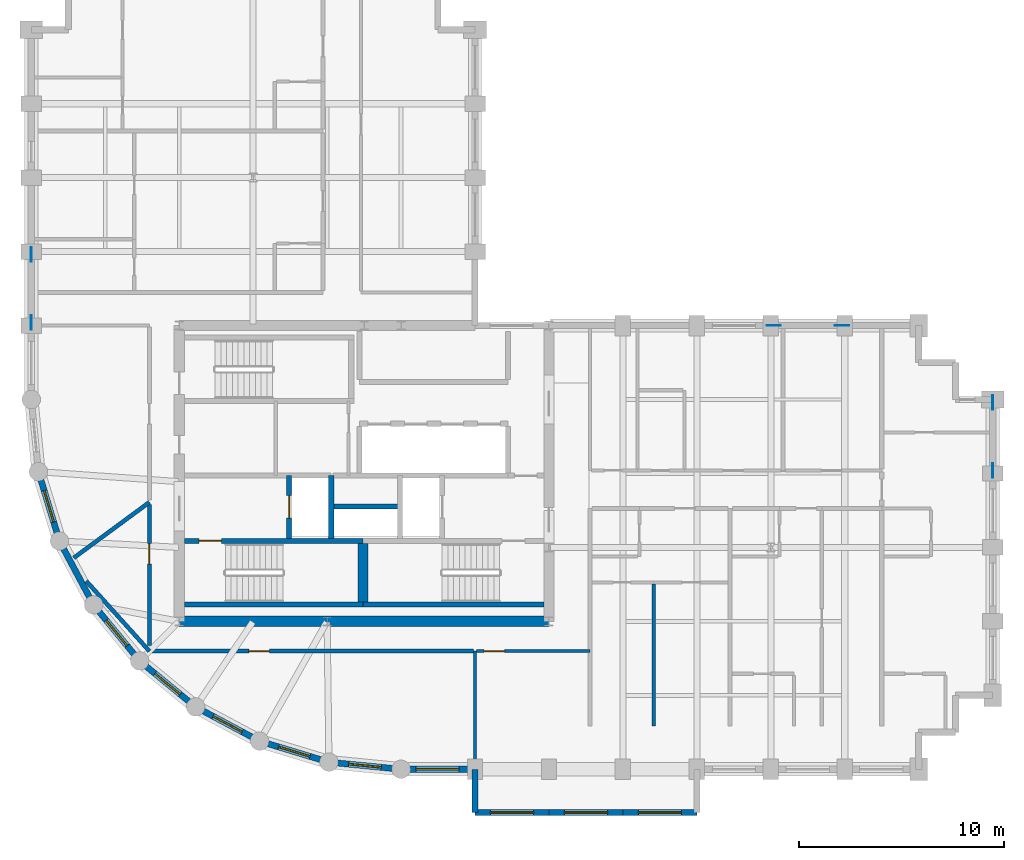
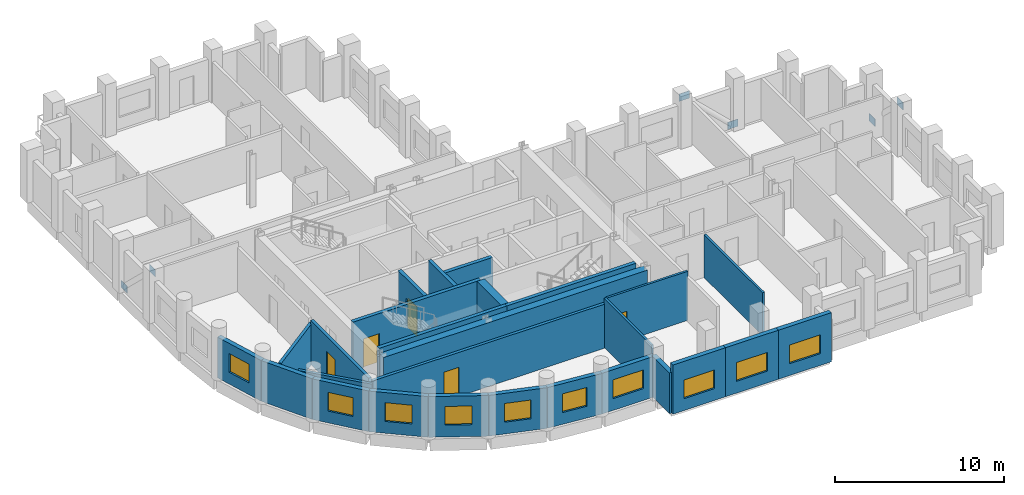
# One storey, part 3 of 9: 27 walls, 10 windows, 6 plates, 5 doors, 15 openings.
"""IFC4 building model written with IfcOpenShell, lengths in metres."""

from ifc_helpers import new_model, si_unit, direction, frame, frame_2d, origin, origin_2d, place, context, subcontext, project, spatial, rectangle, extrude, material, layer, layer_set, type_object, element, fill, save


model = new_model("IFC4")

# Units and contexts
model_context = context("Model", 3, precision=1e-05, world=origin(), true_north=direction((0.0, 1.0)))
body_context = subcontext(model_context, "Body", "Model", "MODEL_VIEW")
ifc_project = project(units=[si_unit("LENGTHUNIT", "METRE"), si_unit("AREAUNIT", "SQUARE_METRE"), si_unit("VOLUMEUNIT", "CUBIC_METRE"), si_unit("PLANEANGLEUNIT", "RADIAN"), si_unit("MASSUNIT", "GRAM", prefix="KILO")], contexts=[model_context])

# Site, building, storey
site_placement = place(None, origin())
site = spatial("IfcSite", under=ifc_project, at=site_placement, CompositionType="ELEMENT")
building_placement = place(site_placement, origin())
building = spatial("IfcBuilding", under=site, at=building_placement, Name="Solnavia Interchange Tower", CompositionType="ELEMENT")
storey_placement = place(building_placement, frame((0.0, 0.0, 131.39990234375)))
storey = spatial("IfcBuildingStorey", under=building, at=storey_placement, Name="L32", CompositionType="ELEMENT", Elevation=131.39990234375)

# Plates
ifc_material_1 = material(Name="Steel S460", Category="steel")
ifc_layer_1 = layer(ifc_material_1, 0.030029296875)
ifc_layer_set_1 = layer_set([ifc_layer_1], Name="Steel S460")
plate_type = type_object("IfcPlateType", Name="Plate-Gusset-700x520x30", PredefinedType="USERDEFINED", material=ifc_layer_set_1)
for number, where, z_axis, x_axis, name in (
    (1, (7.199951171875, 28.659912109375, -0.079833984375), (0.0, 0.0, 1.0), (0.0, -1.0, 0.0), "PLT-L32-GP01 Perimeter brace gusset plate"),
    (2, (7.199951171875, 25.340087890625, 3.110107421875), (0.0, 0.0, 1.0), (0.0, -1.0, 0.0), "PLT-L32-GP02 Perimeter brace gusset plate"),
    (3, (54.0, 21.4599609375, -0.079833984375), (0.0, 0.0, 1.0), (0.0, -1.0, 0.0), "PLT-L32-GP03 Perimeter brace gusset plate"),
    (4, (54.0, 18.139892578125, 3.110107421875), (0.0, 0.0, 1.0), (0.0, -1.0, 0.0), "PLT-L32-GP04 Perimeter brace gusset plate"),
    (5, (46.659912109375, 25.199951171875, -0.079833984375), (0.0, 0.0, 1.0), (-1.0, 0.0, 0.0), "PLT-L32-GP05 Perimeter brace gusset plate"),
    (6, (43.340087890625, 25.199951171875, 3.110107421875), (0.0, 0.0, 1.0), (-1.0, 0.0, 0.0), "PLT-L32-GP06 Perimeter brace gusset plate"),
):
    element("IfcPlate", number, at=place(storey_placement, frame(where, z_axis=z_axis, x_axis=x_axis)), inside=storey, type_object=plate_type, Name=name, ObjectType="GUSSET PLATE", PredefinedType="USERDEFINED", context=body_context, shape_type="SweptSolid", body=[
        extrude(rectangle(XDim=0.699951171875, YDim=0.030029296875, at=origin_2d()), origin(), (0.0, 0.0, 1.0), 0.52001953125),
    ])

# Walls
ifc_material_2 = material(Name="Gypsum Acoustic Twin-Stud & Mineral Wool", Category="gypsum")
ifc_layer_2 = layer(ifc_material_2, 0.199951171875)
ifc_layer_set_2 = layer_set([ifc_layer_2], Name="Gypsum Acoustic Twin-Stud & Mineral Wool")
wall_type_1 = type_object("IfcWallType", Name="Wall-ApartmentParty-200", PredefinedType="PARTITIONING", material=ifc_layer_set_2)
wall_1_placement = place(storey_placement, frame((12.949951171875, 9.35009765625, 0.0), z_axis=(0.0, 0.0, 1.0), x_axis=(-0.669422074366, 0.742882282971, 0.0)))
element("IfcWall", 7, at=wall_1_placement, inside=storey, type_object=wall_type_1, Name="PTW-L32-09 Interior partition wall", PredefinedType="PARTITIONING", context=body_context, shape_type="SweptSolid", body=[
    extrude(rectangle(XDim=4.599609375, YDim=0.199951171875, at=frame_2d((2.2998046875, 0.0))), origin(), (0.0, 0.0, 1.0), 2.93017578125),
])
wall_2_placement = place(storey_placement, frame((12.949951171875, 16.60009765625, 0.0), z_axis=(0.0, 0.0, 1.0), x_axis=(-0.805365932827, -0.592777963694, 0.0)))
element("IfcWall", 8, at=wall_2_placement, inside=storey, type_object=wall_type_1, Name="PTW-L32-10 Interior partition wall", PredefinedType="PARTITIONING", context=body_context, shape_type="SweptSolid", body=[
    extrude(rectangle(XDim=4.569580078125, YDim=0.199951171875, at=frame_2d((2.28466796875, 0.0))), origin(), (0.0, 0.0, 1.0), 2.93017578125),
])

# Wall, opening, door
wall_3_placement = place(storey_placement, frame((12.949951171875, 9.618896484375, 0.0), z_axis=(0.0, 0.0, 1.0), x_axis=(0.0, 1.0, 0.0)))
wall_3 = element("IfcWall", 9, at=wall_3_placement, inside=storey, type_object=wall_type_1, Name="PTW-L32-12 Interior partition wall", PredefinedType="PARTITIONING", context=body_context, shape_type="SweptSolid", body=[
    extrude(rectangle(XDim=6.877197265625, YDim=0.199951171875, at=frame_2d((3.4384765625, 0.0))), origin(), (0.0, 0.0, 1.0), 3.170166015625),
])
opening_1_placement = place(wall_3_placement, frame((3.9619140625, 0.0, 0.0)))
opening_1 = element("IfcOpeningElement", 10, at=opening_1_placement, cuts=wall_3, Name="Opening DR-07", PredefinedType="OPENING", context=body_context, shape_type="SweptSolid", body=[
    extrude(rectangle(XDim=1.0, YDim=2.10009765625, at=frame_2d((0.5, 1.050048828125))), frame((0.0, 0.10986328125, 0.0), z_axis=(0.0, -1.0, 0.0), x_axis=(1.0, 0.0, 0.0)), (0.0, 0.0, 1.0), 0.219970703125),
])
ifc_material_3 = material(Name="Timber & Acoustic Glazed Office Door", Category="wood")
door_type_1 = type_object("IfcDoorType", Name="Door-Office-1000x2100", OperationType="SINGLE_SWING_RIGHT", PredefinedType="DOOR", material=ifc_material_3)
door_1_placement = place(opening_1_placement, origin())
door_1 = element("IfcDoor", 11, at=door_1_placement, inside=storey, type_object=door_type_1, Name="DR-L32-04 Interior room door", OperationType="SINGLE_SWING_RIGHT", OverallHeight=2.10009765625, OverallWidth=1.0, PredefinedType="DOOR", context=body_context, shape_type="SweptSolid", body=[
    extrude(rectangle(XDim=1.0, YDim=2.10009765625, at=frame_2d((0.5, 1.050048828125))), frame((0.0, 0.02490234375, 0.0), z_axis=(0.0, -1.0, 0.0), x_axis=(1.0, 0.0, 0.0)), (0.0, 0.0, 1.0), 0.050048828125),
])
fill(opening_1, door_1)

wall_4_placement = place(storey_placement, frame((12.949951171875, 9.35009765625, 0.0), z_axis=(0.0, 0.0, 1.0), x_axis=(1.0, 0.0, 0.0)))
wall_4 = element("IfcWall", 12, at=wall_4_placement, inside=storey, type_object=wall_type_1, Name="PTW-L32-13 Interior partition wall", PredefinedType="PARTITIONING", context=body_context, shape_type="SweptSolid", body=[
    extrude(rectangle(XDim=15.77099609375, YDim=0.199951171875, at=frame_2d((7.885498046875, 0.0))), origin(), (0.0, 0.0, 1.0), 3.170166015625),
])
opening_2_placement = place(wall_4_placement, frame((4.8359375, 0.0, 0.0)))
opening_2 = element("IfcOpeningElement", 13, at=opening_2_placement, cuts=wall_4, Name="Opening DR-07", PredefinedType="OPENING", context=body_context, shape_type="SweptSolid", body=[
    extrude(rectangle(XDim=1.0, YDim=2.10009765625, at=frame_2d((0.5, 1.050048828125))), frame((0.0, 0.10986328125, 0.0), z_axis=(0.0, -1.0, 0.0), x_axis=(1.0, 0.0, 0.0)), (0.0, 0.0, 1.0), 0.219970703125),
])
door_2_placement = place(opening_2_placement, origin())
door_2 = element("IfcDoor", 14, at=door_2_placement, inside=storey, type_object=door_type_1, Name="DR-L32-05 Interior room door", OperationType="SINGLE_SWING_LEFT", OverallHeight=2.10009765625, OverallWidth=1.0, PredefinedType="DOOR", context=body_context, shape_type="SweptSolid", body=[
    extrude(rectangle(XDim=1.0, YDim=2.10009765625, at=frame_2d((0.5, 1.050048828125))), frame((0.0, 0.02490234375, 0.0), z_axis=(0.0, -1.0, 0.0), x_axis=(1.0, 0.0, 0.0)), (0.0, 0.0, 1.0), 0.050048828125),
])
fill(opening_2, door_2)

# Wall, opening, window
ifc_material_4 = material(Name="Concrete C40/50", Category="concrete")
ifc_layer_3 = layer(ifc_material_4, 0.300048828125)
ifc_layer_set_3 = layer_set([ifc_layer_3], Name="Concrete C40/50")
wall_type_2 = type_object("IfcWallType", Name="Wall-ExtSpandrel-300", PredefinedType="STANDARD", material=ifc_layer_set_3)
wall_5_placement = place(storey_placement, frame((28.800048828125, 3.60009765625, 0.0), z_axis=(0.0, 0.0, 1.0), x_axis=(-1.0, 0.0, 0.0)))
wall_5 = element("IfcWall", 15, at=wall_5_placement, inside=storey, type_object=wall_type_2, Name="EXW-L32-01 Exterior precast spandrel wall", PredefinedType="STANDARD", context=body_context, shape_type="SweptSolid", body=[
    extrude(rectangle(XDim=3.60009765625, YDim=0.300048828125, at=frame_2d((1.800048828125, 0.0))), origin(), (0.0, 0.0, 1.0), 2.93017578125),
])
opening_3_placement = place(wall_5_placement, frame((0.77490234375, 0.0, 0.85009765625)))
opening_3 = element("IfcOpeningElement", 16, at=opening_3_placement, cuts=wall_5, Name="Opening WIN-01", PredefinedType="OPENING", context=body_context, shape_type="SweptSolid", body=[
    extrude(rectangle(XDim=2.10009765625, YDim=1.35009765625, at=frame_2d((1.050048828125, 0.675048828125))), frame((0.0, 0.16015625, 0.0), z_axis=(0.0, -1.0, 0.0), x_axis=(1.0, 0.0, 0.0)), (0.0, 0.0, 1.0), 0.320068359375),
])
ifc_material_5 = material(Name="Thermal-Break Aluminium & Low-E Glass", Category="aluminium")
window_type_1 = type_object("IfcWindowType", Name="Window-Ribbon-2100x1350", PartitioningType="SINGLE_PANEL", PredefinedType="WINDOW", material=ifc_material_5)
window_1_placement = place(opening_3_placement, origin())
window_1 = element("IfcWindow", 17, at=window_1_placement, inside=storey, type_object=window_type_1, Name="WIN-L32-01 Facade ribbon window", OverallHeight=1.35009765625, OverallWidth=2.10009765625, PartitioningType="SINGLE_PANEL", PredefinedType="WINDOW", context=body_context, shape_type="SweptSolid", body=[
    extrude(rectangle(XDim=2.10009765625, YDim=1.35009765625, at=frame_2d((1.050048828125, 0.675048828125))), frame((0.0, 0.030029296875, 0.0), z_axis=(0.0, -1.0, 0.0), x_axis=(1.0, 0.0, 0.0)), (0.0, 0.0, 1.0), 0.06005859375),
])
fill(opening_3, window_1)

# Wall
wall_6_placement = place(storey_placement, frame((28.800048828125, 3.60009765625, 0.0), z_axis=(0.0, 0.0, 1.0), x_axis=(0.0, -1.0, 0.0)))
element("IfcWall", 18, at=wall_6_placement, inside=storey, type_object=wall_type_2, Name="EXW-L32-02 Exterior precast spandrel wall", PredefinedType="STANDARD", context=body_context, shape_type="SweptSolid", body=[
    extrude(rectangle(XDim=2.10009765625, YDim=0.300048828125, at=frame_2d((1.050048828125, 0.0))), origin(), (0.0, 0.0, 1.0), 2.93017578125),
])

# Wall, opening, window
wall_7_placement = place(storey_placement, frame((32.39990234375, 1.5, 0.0), z_axis=(0.0, 0.0, 1.0), x_axis=(-1.0, 0.0, 0.0)))
wall_7 = element("IfcWall", 19, at=wall_7_placement, inside=storey, type_object=wall_type_2, Name="EXW-L32-03 Exterior precast spandrel wall", PredefinedType="STANDARD", context=body_context, shape_type="SweptSolid", body=[
    extrude(rectangle(XDim=3.599853515625, YDim=0.300048828125, at=frame_2d((1.7998046875, 0.0))), origin(), (0.0, 0.0, 1.0), 3.53515625),
])
opening_4_placement = place(wall_7_placement, frame((0.75, 0.0, 0.85009765625)))
opening_4 = element("IfcOpeningElement", 20, at=opening_4_placement, cuts=wall_7, Name="Opening WIN-01", PredefinedType="OPENING", context=body_context, shape_type="SweptSolid", body=[
    extrude(rectangle(XDim=2.10009765625, YDim=1.35009765625, at=frame_2d((1.050048828125, 0.675048828125))), frame((0.0, 0.16015625, 0.0), z_axis=(0.0, -1.0, 0.0), x_axis=(1.0, 0.0, 0.0)), (0.0, 0.0, 1.0), 0.320068359375),
])
window_2_placement = place(opening_4_placement, origin())
window_2 = element("IfcWindow", 21, at=window_2_placement, inside=storey, type_object=window_type_1, Name="WIN-L32-03 Facade ribbon window", OverallHeight=1.35009765625, OverallWidth=2.10009765625, PartitioningType="SINGLE_PANEL", PredefinedType="WINDOW", context=body_context, shape_type="SweptSolid", body=[
    extrude(rectangle(XDim=2.10009765625, YDim=1.35009765625, at=frame_2d((1.050048828125, 0.675048828125))), frame((0.0, 0.030029296875, 0.0), z_axis=(0.0, -1.0, 0.0), x_axis=(1.0, 0.0, 0.0)), (0.0, 0.0, 1.0), 0.06005859375),
])
fill(opening_4, window_2)

wall_8_placement = place(storey_placement, frame((36.0, 1.5, 0.0), z_axis=(0.0, 0.0, 1.0), x_axis=(-1.0, 0.0, 0.0)))
wall_8 = element("IfcWall", 22, at=wall_8_placement, inside=storey, type_object=wall_type_2, Name="EXW-L32-04 Exterior precast spandrel wall", PredefinedType="STANDARD", context=body_context, shape_type="SweptSolid", body=[
    extrude(rectangle(XDim=3.60009765625, YDim=0.300048828125, at=frame_2d((1.800048828125, 0.0))), origin(), (0.0, 0.0, 1.0), 3.53515625),
])
opening_5_placement = place(wall_8_placement, frame((0.75, 0.0, 0.85009765625)))
opening_5 = element("IfcOpeningElement", 23, at=opening_5_placement, cuts=wall_8, Name="Opening WIN-01", PredefinedType="OPENING", context=body_context, shape_type="SweptSolid", body=[
    extrude(rectangle(XDim=2.10009765625, YDim=1.35009765625, at=frame_2d((1.050048828125, 0.675048828125))), frame((0.0, 0.16015625, 0.0), z_axis=(0.0, -1.0, 0.0), x_axis=(1.0, 0.0, 0.0)), (0.0, 0.0, 1.0), 0.320068359375),
])
window_3_placement = place(opening_5_placement, origin())
window_3 = element("IfcWindow", 24, at=window_3_placement, inside=storey, type_object=window_type_1, Name="WIN-L32-04 Facade ribbon window", OverallHeight=1.35009765625, OverallWidth=2.10009765625, PartitioningType="SINGLE_PANEL", PredefinedType="WINDOW", context=body_context, shape_type="SweptSolid", body=[
    extrude(rectangle(XDim=2.10009765625, YDim=1.35009765625, at=frame_2d((1.050048828125, 0.675048828125))), frame((0.0, 0.030029296875, 0.0), z_axis=(0.0, -1.0, 0.0), x_axis=(1.0, 0.0, 0.0)), (0.0, 0.0, 1.0), 0.06005859375),
])
fill(opening_5, window_3)

wall_9_placement = place(storey_placement, frame((39.60009765625, 1.5, 0.0), z_axis=(0.0, 0.0, 1.0), x_axis=(-1.0, 0.0, 0.0)))
wall_9 = element("IfcWall", 25, at=wall_9_placement, inside=storey, type_object=wall_type_2, Name="EXW-L32-05 Exterior precast spandrel wall", PredefinedType="STANDARD", context=body_context, shape_type="SweptSolid", body=[
    extrude(rectangle(XDim=3.60009765625, YDim=0.300048828125, at=frame_2d((1.800048828125, 0.0))), origin(), (0.0, 0.0, 1.0), 3.53515625),
])
opening_6_placement = place(wall_9_placement, frame((0.75, 0.0, 0.85009765625)))
opening_6 = element("IfcOpeningElement", 26, at=opening_6_placement, cuts=wall_9, Name="Opening WIN-01", PredefinedType="OPENING", context=body_context, shape_type="SweptSolid", body=[
    extrude(rectangle(XDim=2.10009765625, YDim=1.35009765625, at=frame_2d((1.050048828125, 0.675048828125))), frame((0.0, 0.16015625, 0.0), z_axis=(0.0, -1.0, 0.0), x_axis=(1.0, 0.0, 0.0)), (0.0, 0.0, 1.0), 0.320068359375),
])
window_4_placement = place(opening_6_placement, origin())
window_4 = element("IfcWindow", 27, at=window_4_placement, inside=storey, type_object=window_type_1, Name="WIN-L32-05 Facade ribbon window", OverallHeight=1.35009765625, OverallWidth=2.10009765625, PartitioningType="SINGLE_PANEL", PredefinedType="WINDOW", context=body_context, shape_type="SweptSolid", body=[
    extrude(rectangle(XDim=2.10009765625, YDim=1.35009765625, at=frame_2d((1.050048828125, 0.675048828125))), frame((0.0, 0.030029296875, 0.0), z_axis=(0.0, -1.0, 0.0), x_axis=(1.0, 0.0, 0.0)), (0.0, 0.0, 1.0), 0.06005859375),
])
fill(opening_6, window_4)

wall_10_placement = place(storey_placement, frame((8.570068359375, 14.7119140625, 0.0), z_axis=(0.0, 0.0, 1.0), x_axis=(-0.290305086481, 0.956934144423, 0.0)))
wall_10 = element("IfcWall", 28, at=wall_10_placement, inside=storey, type_object=wall_type_2, Name="EXW-L32-50 Exterior precast spandrel wall", PredefinedType="STANDARD", context=body_context, shape_type="SweptSolid", body=[
    extrude(rectangle(XDim=3.52783203125, YDim=0.300048828125, at=frame_2d((1.763916015625, 0.0))), origin(), (0.0, 0.0, 1.0), 2.93017578125),
])
opening_7_placement = place(wall_10_placement, frame((0.964111328125, 0.0, 0.85009765625)))
opening_7 = element("IfcOpeningElement", 29, at=opening_7_placement, cuts=wall_10, Name="Opening WIN-04", PredefinedType="OPENING", context=body_context, shape_type="SweptSolid", body=[
    extrude(rectangle(XDim=1.60009765625, YDim=1.35009765625, at=frame_2d((0.800048828125, 0.675048828125))), frame((0.0, 0.16015625, 0.0), z_axis=(0.0, -1.0, 0.0), x_axis=(1.0, 0.0, 0.0)), (0.0, 0.0, 1.0), 0.320068359375),
])
window_type_2 = type_object("IfcWindowType", Name="Window-Drum-1600x1350", PartitioningType="SINGLE_PANEL", PredefinedType="WINDOW", material=ifc_material_5)
window_5_placement = place(opening_7_placement, origin())
window_5 = element("IfcWindow", 30, at=window_5_placement, inside=storey, type_object=window_type_2, Name="WIN-L32-50 Facade ribbon window", OverallHeight=1.35009765625, OverallWidth=1.60009765625, PartitioningType="SINGLE_PANEL", PredefinedType="WINDOW", context=body_context, shape_type="SweptSolid", body=[
    extrude(rectangle(XDim=1.60009765625, YDim=1.35009765625, at=frame_2d((0.800048828125, 0.675048828125))), frame((0.0, 0.030029296875, 0.0), z_axis=(0.0, -1.0, 0.0), x_axis=(1.0, 0.0, 0.0)), (0.0, 0.0, 1.0), 0.06005859375),
])
fill(opening_7, window_5)

# Wall
wall_11_placement = place(storey_placement, frame((10.23388671875, 11.60009765625, 0.0), z_axis=(0.0, 0.0, 1.0), x_axis=(-0.47151087309, 0.881860247748, 0.0)))
element("IfcWall", 31, at=wall_11_placement, inside=storey, type_object=wall_type_2, Name="EXW-L32-51 Exterior precast spandrel wall", PredefinedType="STANDARD", context=body_context, shape_type="SweptSolid", body=[
    extrude(rectangle(XDim=3.52880859375, YDim=0.300048828125, at=frame_2d((1.764404296875, 0.0))), origin(), (0.0, 0.0, 1.0), 2.93017578125),
])

# Wall, opening, window
wall_12_placement = place(storey_placement, frame((12.471923828125, 8.8720703125, 0.0), z_axis=(0.0, 0.0, 1.0), x_axis=(-0.634258295121, 0.773121216285, 0.0)))
wall_12 = element("IfcWall", 32, at=wall_12_placement, inside=storey, type_object=wall_type_2, Name="EXW-L32-52 Exterior precast spandrel wall", PredefinedType="STANDARD", context=body_context, shape_type="SweptSolid", body=[
    extrude(rectangle(XDim=3.528564453125, YDim=0.300048828125, at=frame_2d((1.76416015625, 0.0))), origin(), (0.0, 0.0, 1.0), 2.93017578125),
])
opening_8_placement = place(wall_12_placement, frame((0.964111328125, 0.0, 0.85009765625)))
opening_8 = element("IfcOpeningElement", 33, at=opening_8_placement, cuts=wall_12, Name="Opening WIN-04", PredefinedType="OPENING", context=body_context, shape_type="SweptSolid", body=[
    extrude(rectangle(XDim=1.60009765625, YDim=1.35009765625, at=frame_2d((0.800048828125, 0.675048828125))), frame((0.0, 0.16015625, 0.0), z_axis=(0.0, -1.0, 0.0), x_axis=(1.0, 0.0, 0.0)), (0.0, 0.0, 1.0), 0.320068359375),
])
window_6_placement = place(opening_8_placement, origin())
window_6 = element("IfcWindow", 34, at=window_6_placement, inside=storey, type_object=window_type_2, Name="WIN-L32-52 Facade ribbon window", OverallHeight=1.35009765625, OverallWidth=1.60009765625, PartitioningType="SINGLE_PANEL", PredefinedType="WINDOW", context=body_context, shape_type="SweptSolid", body=[
    extrude(rectangle(XDim=1.60009765625, YDim=1.35009765625, at=frame_2d((0.800048828125, 0.675048828125))), frame((0.0, 0.030029296875, 0.0), z_axis=(0.0, -1.0, 0.0), x_axis=(1.0, 0.0, 0.0)), (0.0, 0.0, 1.0), 0.06005859375),
])
fill(opening_8, window_6)

wall_13_placement = place(storey_placement, frame((15.199951171875, 6.634033203125, 0.0), z_axis=(0.0, 0.0, 1.0), x_axis=(-0.773121216285, 0.634258295121, 0.0)))
wall_13 = element("IfcWall", 35, at=wall_13_placement, inside=storey, type_object=wall_type_2, Name="EXW-L32-53 Exterior precast spandrel wall", PredefinedType="STANDARD", context=body_context, shape_type="SweptSolid", body=[
    extrude(rectangle(XDim=3.528564453125, YDim=0.300048828125, at=frame_2d((1.76416015625, 0.0))), origin(), (0.0, 0.0, 1.0), 2.93017578125),
])
opening_9_placement = place(wall_13_placement, frame((0.964111328125, 0.0, 0.85009765625)))
opening_9 = element("IfcOpeningElement", 36, at=opening_9_placement, cuts=wall_13, Name="Opening WIN-04", PredefinedType="OPENING", context=body_context, shape_type="SweptSolid", body=[
    extrude(rectangle(XDim=1.60009765625, YDim=1.35009765625, at=frame_2d((0.800048828125, 0.675048828125))), frame((0.0, 0.16015625, 0.0), z_axis=(0.0, -1.0, 0.0), x_axis=(1.0, 0.0, 0.0)), (0.0, 0.0, 1.0), 0.320068359375),
])
window_7_placement = place(opening_9_placement, origin())
window_7 = element("IfcWindow", 37, at=window_7_placement, inside=storey, type_object=window_type_2, Name="WIN-L32-53 Facade ribbon window", OverallHeight=1.35009765625, OverallWidth=1.60009765625, PartitioningType="SINGLE_PANEL", PredefinedType="WINDOW", context=body_context, shape_type="SweptSolid", body=[
    extrude(rectangle(XDim=1.60009765625, YDim=1.35009765625, at=frame_2d((0.800048828125, 0.675048828125))), frame((0.0, 0.030029296875, 0.0), z_axis=(0.0, -1.0, 0.0), x_axis=(1.0, 0.0, 0.0)), (0.0, 0.0, 1.0), 0.06005859375),
])
fill(opening_9, window_7)

wall_14_placement = place(storey_placement, frame((18.31201171875, 4.969970703125, 0.0), z_axis=(0.0, 0.0, 1.0), x_axis=(-0.881846862014, 0.471535907389, 0.0)))
wall_14 = element("IfcWall", 38, at=wall_14_placement, inside=storey, type_object=wall_type_2, Name="EXW-L32-54 Exterior precast spandrel wall", PredefinedType="STANDARD", context=body_context, shape_type="SweptSolid", body=[
    extrude(rectangle(XDim=3.529052734375, YDim=0.300048828125, at=frame_2d((1.7646484375, 0.0))), origin(), (0.0, 0.0, 1.0), 2.93017578125),
])
opening_10_placement = place(wall_14_placement, frame((0.964111328125, 0.0, 0.85009765625)))
opening_10 = element("IfcOpeningElement", 39, at=opening_10_placement, cuts=wall_14, Name="Opening WIN-04", PredefinedType="OPENING", context=body_context, shape_type="SweptSolid", body=[
    extrude(rectangle(XDim=1.60009765625, YDim=1.35009765625, at=frame_2d((0.800048828125, 0.675048828125))), frame((0.0, 0.16015625, 0.0), z_axis=(0.0, -1.0, 0.0), x_axis=(1.0, 0.0, 0.0)), (0.0, 0.0, 1.0), 0.320068359375),
])
window_8_placement = place(opening_10_placement, origin())
window_8 = element("IfcWindow", 40, at=window_8_placement, inside=storey, type_object=window_type_2, Name="WIN-L32-54 Facade ribbon window", OverallHeight=1.35009765625, OverallWidth=1.60009765625, PartitioningType="SINGLE_PANEL", PredefinedType="WINDOW", context=body_context, shape_type="SweptSolid", body=[
    extrude(rectangle(XDim=1.60009765625, YDim=1.35009765625, at=frame_2d((0.800048828125, 0.675048828125))), frame((0.0, 0.030029296875, 0.0), z_axis=(0.0, -1.0, 0.0), x_axis=(1.0, 0.0, 0.0)), (0.0, 0.0, 1.0), 0.06005859375),
])
fill(opening_10, window_8)

wall_15_placement = place(storey_placement, frame((21.68798828125, 3.946044921875, 0.0), z_axis=(0.0, 0.0, 1.0), x_axis=(-0.956953367403, 0.290241714123, 0.0)))
wall_15 = element("IfcWall", 41, at=wall_15_placement, inside=storey, type_object=wall_type_2, Name="EXW-L32-55 Exterior precast spandrel wall", PredefinedType="STANDARD", context=body_context, shape_type="SweptSolid", body=[
    extrude(rectangle(XDim=3.52783203125, YDim=0.300048828125, at=frame_2d((1.763916015625, 0.0))), origin(), (0.0, 0.0, 1.0), 2.93017578125),
])
opening_11_placement = place(wall_15_placement, frame((0.964111328125, 0.0, 0.85009765625)))
opening_11 = element("IfcOpeningElement", 42, at=opening_11_placement, cuts=wall_15, Name="Opening WIN-04", PredefinedType="OPENING", context=body_context, shape_type="SweptSolid", body=[
    extrude(rectangle(XDim=1.60009765625, YDim=1.35009765625, at=frame_2d((0.800048828125, 0.675048828125))), frame((0.0, 0.16015625, 0.0), z_axis=(0.0, -1.0, 0.0), x_axis=(1.0, 0.0, 0.0)), (0.0, 0.0, 1.0), 0.320068359375),
])
window_9_placement = place(opening_11_placement, origin())
window_9 = element("IfcWindow", 43, at=window_9_placement, inside=storey, type_object=window_type_2, Name="WIN-L32-55 Facade ribbon window", OverallHeight=1.35009765625, OverallWidth=1.60009765625, PartitioningType="SINGLE_PANEL", PredefinedType="WINDOW", context=body_context, shape_type="SweptSolid", body=[
    extrude(rectangle(XDim=1.60009765625, YDim=1.35009765625, at=frame_2d((0.800048828125, 0.675048828125))), frame((0.0, 0.030029296875, 0.0), z_axis=(0.0, -1.0, 0.0), x_axis=(1.0, 0.0, 0.0)), (0.0, 0.0, 1.0), 0.06005859375),
])
fill(opening_11, window_9)

wall_16_placement = place(storey_placement, frame((25.199951171875, 3.60009765625, 0.0), z_axis=(0.0, 0.0, 1.0), x_axis=(-0.995183369056, 0.098030923459, 0.0)))
wall_16 = element("IfcWall", 44, at=wall_16_placement, inside=storey, type_object=wall_type_2, Name="EXW-L32-56 Exterior precast spandrel wall", PredefinedType="STANDARD", context=body_context, shape_type="SweptSolid", body=[
    extrude(rectangle(XDim=3.529052734375, YDim=0.300048828125, at=frame_2d((1.7646484375, 0.0))), origin(), (0.0, 0.0, 1.0), 2.93017578125),
])
opening_12_placement = place(wall_16_placement, frame((0.965087890625, 0.0, 0.85009765625)))
opening_12 = element("IfcOpeningElement", 45, at=opening_12_placement, cuts=wall_16, Name="Opening WIN-04", PredefinedType="OPENING", context=body_context, shape_type="SweptSolid", body=[
    extrude(rectangle(XDim=1.60009765625, YDim=1.35009765625, at=frame_2d((0.800048828125, 0.675048828125))), frame((0.0, 0.16015625, 0.0), z_axis=(0.0, -1.0, 0.0), x_axis=(1.0, 0.0, 0.0)), (0.0, 0.0, 1.0), 0.320068359375),
])
window_10_placement = place(opening_12_placement, origin())
window_10 = element("IfcWindow", 46, at=window_10_placement, inside=storey, type_object=window_type_2, Name="WIN-L32-56 Facade ribbon window", OverallHeight=1.35009765625, OverallWidth=1.60009765625, PartitioningType="SINGLE_PANEL", PredefinedType="WINDOW", context=body_context, shape_type="SweptSolid", body=[
    extrude(rectangle(XDim=1.60009765625, YDim=1.35009765625, at=frame_2d((0.800048828125, 0.675048828125))), frame((0.0, 0.030029296875, 0.0), z_axis=(0.0, -1.0, 0.0), x_axis=(1.0, 0.0, 0.0)), (0.0, 0.0, 1.0), 0.06005859375),
])
fill(opening_12, window_10)

# Wall
ifc_material_6 = material(Name="Gypsum Plasterboard & Steel Stud", Category="steel")
ifc_layer_4 = layer(ifc_material_6, 0.14990234375)
ifc_layer_set_4 = layer_set([ifc_layer_4], Name="Gypsum Plasterboard & Steel Stud")
wall_type_3 = type_object("IfcWallType", Name="Wall-Partition-150", PredefinedType="PARTITIONING", material=ifc_layer_set_4)
wall_17_placement = place(storey_placement, frame((28.800048828125, 9.35009765625, 0.0), z_axis=(0.0, 0.0, 1.0), x_axis=(0.0, -1.0, 0.0)))
element("IfcWall", 47, at=wall_17_placement, inside=storey, type_object=wall_type_3, Name="PTW-L32-08 Interior partition wall", PredefinedType="PARTITIONING", context=body_context, shape_type="SweptSolid", body=[
    extrude(rectangle(XDim=5.59619140625, YDim=0.14990234375, at=frame_2d((2.798095703125, 0.0))), origin(), (0.0, 0.0, 1.0), 3.53515625),
])

# Wall, opening, door
wall_18_placement = place(storey_placement, frame((28.87890625, 9.35009765625, 0.0), z_axis=(0.0, 0.0, 1.0), x_axis=(1.0, 0.0, 0.0)))
wall_18 = element("IfcWall", 48, at=wall_18_placement, inside=storey, type_object=wall_type_3, Name="PTW-L32-14 Interior partition wall", PredefinedType="PARTITIONING", context=body_context, shape_type="SweptSolid", body=[
    extrude(rectangle(XDim=5.52099609375, YDim=0.14990234375, at=frame_2d((2.760498046875, 0.0))), origin(), (0.0, 0.0, 1.0), 3.53515625),
])
opening_13_placement = place(wall_18_placement, frame((0.360107421875, 0.0, 0.0)))
opening_13 = element("IfcOpeningElement", 49, at=opening_13_placement, cuts=wall_18, Name="Opening DR-07", PredefinedType="OPENING", context=body_context, shape_type="SweptSolid", body=[
    extrude(rectangle(XDim=1.0, YDim=2.10009765625, at=frame_2d((0.5, 1.050048828125))), frame((0.0, 0.0849609375, 0.0), z_axis=(0.0, -1.0, 0.0), x_axis=(1.0, 0.0, 0.0)), (0.0, 0.0, 1.0), 0.169921875),
])
door_3_placement = place(opening_13_placement, origin())
door_3 = element("IfcDoor", 50, at=door_3_placement, inside=storey, type_object=door_type_1, Name="DR-L32-06 Interior room door", OperationType="SINGLE_SWING_LEFT", OverallHeight=2.10009765625, OverallWidth=1.0, PredefinedType="DOOR", context=body_context, shape_type="SweptSolid", body=[
    extrude(rectangle(XDim=1.0, YDim=2.10009765625, at=frame_2d((0.5, 1.050048828125))), frame((0.0, 0.02490234375, 0.0), z_axis=(0.0, -1.0, 0.0), x_axis=(1.0, 0.0, 0.0)), (0.0, 0.0, 1.0), 0.050048828125),
])
fill(opening_13, door_3)

# Wall
ifc_layer_5 = layer(ifc_material_4, 0.25)
ifc_layer_set_5 = layer_set([ifc_layer_5], Name="Concrete C40/50")
wall_type_4 = type_object("IfcWallType", Name="Wall-ShaftCore-250", PredefinedType="SHEAR", material=ifc_layer_set_5)
wall_19_placement = place(storey_placement, frame((14.64990234375, 11.625, 0.0), z_axis=(0.0, 0.0, 1.0), x_axis=(1.0, 0.0, 0.0)))
element("IfcWall", 51, at=wall_19_placement, inside=storey, type_object=wall_type_4, Name="SHW-L32-ST1S Core shear wall", PredefinedType="SHEAR", context=body_context, shape_type="SweptSolid", body=[
    extrude(rectangle(XDim=8.7001953125, YDim=0.25, at=frame_2d((4.35009765625, 0.0))), origin(), (0.0, 0.0, 1.0), 3.550048828125),
])

# Wall, opening, door
wall_20_placement = place(storey_placement, frame((14.64990234375, 14.715087890625, 0.0), z_axis=(0.0, 0.0, 1.0), x_axis=(1.0, 0.0, 0.0)))
wall_20 = element("IfcWall", 52, at=wall_20_placement, inside=storey, type_object=wall_type_4, Name="SHW-L32-ST1N Core shear wall", PredefinedType="SHEAR", context=body_context, shape_type="SweptSolid", body=[
    extrude(rectangle(XDim=8.7001953125, YDim=0.25, at=frame_2d((4.35009765625, 0.0))), origin(), (0.0, 0.0, 1.0), 3.550048828125),
])
opening_14_placement = place(wall_20_placement, frame((0.705078125, 0.0, 0.0)))
opening_14 = element("IfcOpeningElement", 53, at=opening_14_placement, cuts=wall_20, Name="Opening DR-01", PredefinedType="OPENING", context=body_context, shape_type="SweptSolid", body=[
    extrude(rectangle(XDim=1.10009765625, YDim=2.10009765625, at=frame_2d((0.550048828125, 1.050048828125))), frame((0.0, 0.135009765625, 0.0), z_axis=(0.0, -1.0, 0.0), x_axis=(1.0, 0.0, 0.0)), (0.0, 0.0, 1.0), 0.27001953125),
])
ifc_material_7 = material(Name="Steel Fire-Rated Leaf & Frame", Category="steel")
door_type_2 = type_object("IfcDoorType", Name="Door-StairFire-1100x2100", OperationType="SINGLE_SWING_LEFT", PredefinedType="DOOR", material=ifc_material_7)
door_4_placement = place(opening_14_placement, origin())
door_4 = element("IfcDoor", 54, at=door_4_placement, inside=storey, type_object=door_type_2, Name="DR-L32-ST1 Core fire door", OperationType="SINGLE_SWING_LEFT", OverallHeight=2.10009765625, OverallWidth=1.10009765625, PredefinedType="DOOR", context=body_context, shape_type="SweptSolid", body=[
    extrude(rectangle(XDim=1.10009765625, YDim=2.10009765625, at=frame_2d((0.550048828125, 1.050048828125))), frame((0.0, 0.02490234375, 0.0), z_axis=(0.0, -1.0, 0.0), x_axis=(1.0, 0.0, 0.0)), (0.0, 0.0, 1.0), 0.050048828125),
])
fill(opening_14, door_4)

# Wall
wall_21_placement = place(storey_placement, frame((23.35009765625, 11.625, 0.0), z_axis=(0.0, 0.0, 1.0), x_axis=(1.0, 0.0, 0.0)))
element("IfcWall", 55, at=wall_21_placement, inside=storey, type_object=wall_type_4, Name="SHW-L32-ST2S Core shear wall", PredefinedType="SHEAR", context=body_context, shape_type="SweptSolid", body=[
    extrude(rectangle(XDim=8.7998046875, YDim=0.25, at=frame_2d((4.39990234375, 0.0))), origin(), (0.0, 0.0, 1.0), 3.550048828125),
])

# Wall, opening, door
ifc_layer_6 = layer(ifc_material_4, 0.25)
ifc_layer_set_6 = layer_set([ifc_layer_6], Name="Concrete C40/50")
wall_type_5 = type_object("IfcWallType", Name="Wall-ShaftPart-250", PredefinedType="PARTITIONING", material=ifc_layer_set_6)
wall_22_placement = place(storey_placement, frame((19.75, 14.840087890625, 0.0), z_axis=(0.0, 0.0, 1.0), x_axis=(0.0, 1.0, 0.0)))
wall_22 = element("IfcWall", 56, at=wall_22_placement, inside=storey, type_object=wall_type_5, Name="SHW-L32-FFL1-W Core shaft wall", PredefinedType="PARTITIONING", context=body_context, shape_type="SweptSolid", body=[
    extrude(rectangle(XDim=3.059814453125, YDim=0.25, at=frame_2d((1.52978515625, 0.0))), origin(), (0.0, 0.0, 1.0), 3.53515625),
])
opening_15_placement = place(wall_22_placement, frame((0.97998046875, 0.0, 0.0)))
opening_15 = element("IfcOpeningElement", 57, at=opening_15_placement, cuts=wall_22, Name="Opening LD-01", PredefinedType="OPENING", context=body_context, shape_type="SweptSolid", body=[
    extrude(rectangle(XDim=1.10009765625, YDim=2.10009765625, at=frame_2d((0.550048828125, 1.050048828125))), frame((0.0, 0.135009765625, 0.0), z_axis=(0.0, -1.0, 0.0), x_axis=(1.0, 0.0, 0.0)), (0.0, 0.0, 1.0), 0.27001953125),
])
ifc_material_8 = material(Name="Brushed Stainless Steel Sliding Door", Category="steel")
door_type_3 = type_object("IfcDoorType", Name="Door-LiftLanding-1100x2100", OperationType="SLIDING_TO_LEFT", PredefinedType="DOOR", material=ifc_material_8)
door_5_placement = place(opening_15_placement, origin())
door_5 = element("IfcDoor", 58, at=door_5_placement, inside=storey, type_object=door_type_3, Name="LD-L32-FFL1 Lift landing sliding door", OperationType="SLIDING_TO_LEFT", OverallHeight=2.10009765625, OverallWidth=1.10009765625, PredefinedType="DOOR", context=body_context, shape_type="SweptSolid", body=[
    extrude(rectangle(XDim=1.10009765625, YDim=2.10009765625, at=frame_2d((0.550048828125, 1.050048828125))), frame((0.0, 0.02490234375, 0.0), z_axis=(0.0, -1.0, 0.0), x_axis=(1.0, 0.0, 0.0)), (0.0, 0.0, 1.0), 0.050048828125),
])
fill(opening_15, door_5)

# Walls
wall_23_placement = place(storey_placement, frame((21.800048828125, 14.840087890625, 0.0), z_axis=(0.0, 0.0, 1.0), x_axis=(0.0, 1.0, 0.0)))
element("IfcWall", 59, at=wall_23_placement, inside=storey, type_object=wall_type_5, Name="SHW-L32-FFL1-E Core shaft wall", PredefinedType="PARTITIONING", context=body_context, shape_type="SweptSolid", body=[
    extrude(rectangle(XDim=3.059814453125, YDim=0.25, at=frame_2d((1.52978515625, 0.0))), origin(), (0.0, 0.0, 1.0), 3.53515625),
])
wall_24_placement = place(storey_placement, frame((21.800048828125, 16.39990234375, 0.0), z_axis=(0.0, 0.0, 1.0), x_axis=(1.0, 0.0, 0.0)))
element("IfcWall", 60, at=wall_24_placement, inside=storey, type_object=wall_type_5, Name="SHW-L32-MEP-N Core shaft wall", PredefinedType="PARTITIONING", context=body_context, shape_type="SweptSolid", body=[
    extrude(rectangle(XDim=3.349853515625, YDim=0.25, at=frame_2d((1.6748046875, 0.0))), origin(), (0.0, 0.0, 1.0), 3.53515625),
])
ifc_material_9 = material(Name="Concrete C60/75", Category="concrete")
ifc_layer_7 = layer(ifc_material_9, 0.5)
ifc_layer_set_7 = layer_set([ifc_layer_7], Name="Concrete C60/75")
wall_type_6 = type_object("IfcWallType", Name="Wall-ShearCore-500", PredefinedType="SHEAR", material=ifc_layer_set_7)
wall_25_placement = place(storey_placement, frame((14.39990234375, 10.800048828125, 0.0), z_axis=(0.0, 0.0, 1.0), x_axis=(1.0, 0.0, 0.0)))
element("IfcWall", 61, at=wall_25_placement, inside=storey, type_object=wall_type_6, Name="CRW-L32-S Core shear wall", PredefinedType="SHEAR", context=body_context, shape_type="SweptSolid", body=[
    extrude(rectangle(XDim=18.0, YDim=0.5, at=frame_2d((9.0, 0.0))), origin(), (0.0, 0.0, 1.0), 3.550048828125),
])
wall_26_placement = place(storey_placement, frame((23.35009765625, 11.75, 0.0), z_axis=(0.0, 0.0, 1.0), x_axis=(0.0, 1.0, 0.0)))
element("IfcWall", 62, at=wall_26_placement, inside=storey, type_object=wall_type_6, Name="SHW-L32-ST12M Core shear wall", PredefinedType="SHEAR", context=body_context, shape_type="SweptSolid", body=[
    extrude(rectangle(XDim=2.840087890625, YDim=0.5, at=frame_2d((1.419921875, 0.0))), origin(), (0.0, 0.0, 1.0), 3.550048828125),
])
ifc_material_10 = material(Name="Moisture-Resistant Gypsum & Steel Stud", Category="steel")
ifc_layer_8 = layer(ifc_material_10, 0.14990234375)
ifc_layer_set_8 = layer_set([ifc_layer_8], Name="Moisture-Resistant Gypsum & Steel Stud")
wall_type_7 = type_object("IfcWallType", Name="Wall-WetRoom-150", PredefinedType="PARTITIONING", material=ifc_layer_set_8)
wall_27_placement = place(storey_placement, frame((37.5, 5.699951171875, 0.0), z_axis=(0.0, 0.0, 1.0), x_axis=(0.0, 1.0, 0.0)))
element("IfcWall", 63, at=wall_27_placement, inside=storey, type_object=wall_type_7, Name="PTW-L32-23 Interior partition wall", PredefinedType="PARTITIONING", context=body_context, shape_type="SweptSolid", body=[
    extrude(rectangle(XDim=6.921142578125, YDim=0.14990234375, at=frame_2d((3.46044921875, 0.0))), origin(), (0.0, 0.0, 1.0), 3.080078125),
])

save(model, "model.ifc")
